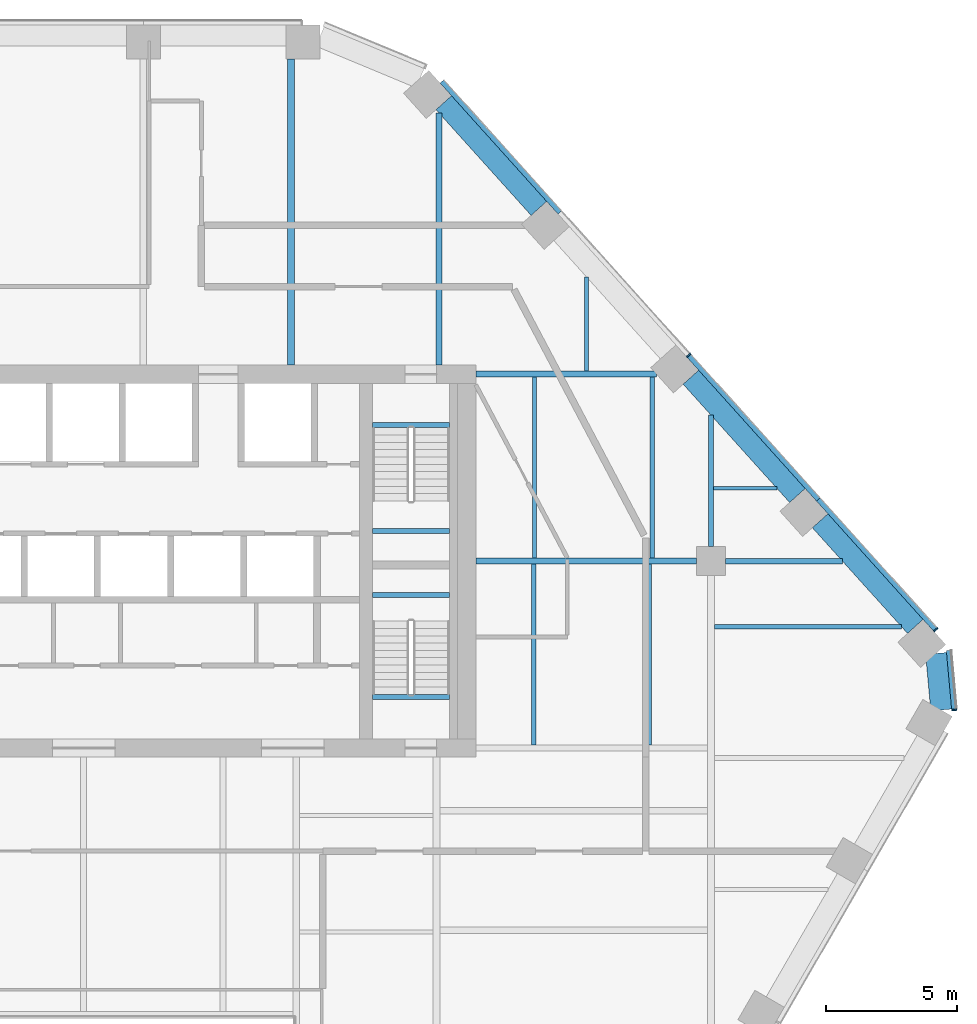
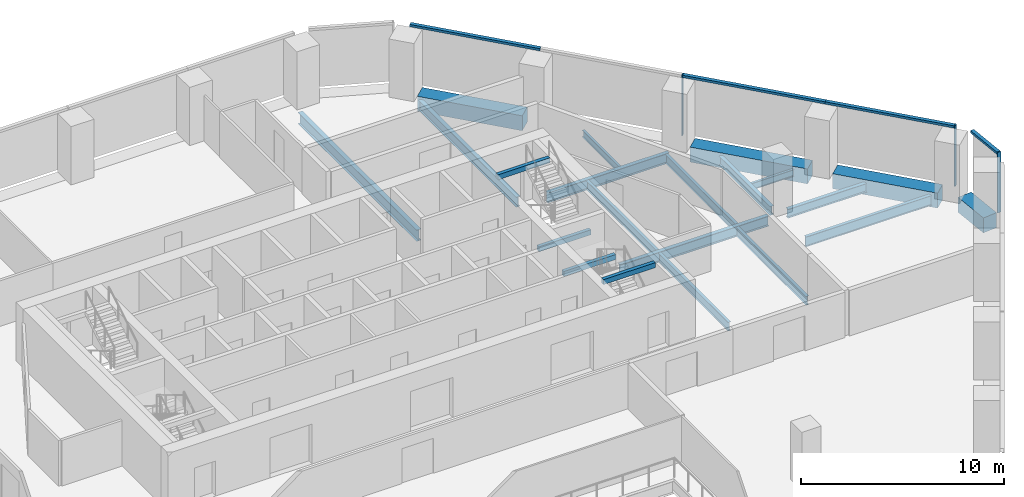
# One storey, part 8 of 16: 21 beams, 7 members, 2 elements without a shape of their own.
"""IFC4 building model written with IfcOpenShell, lengths in metres."""

from ifc_helpers import new_model, si_unit, direction, frame, origin, origin_2d, place, context, subcontext, project, spatial, rectangle, i_section, extrude, material, layer, layer_set, material_profile, profile_set, type_object, element, aggregate, save


model = new_model("IFC4")

# Units and contexts
model_context = context("Model", 3, precision=1e-05, world=origin(), true_north=direction((0.0, 1.0)))
body_context = subcontext(model_context, "Body", "Model", "MODEL_VIEW")
ifc_project = project(units=[si_unit("LENGTHUNIT", "METRE"), si_unit("AREAUNIT", "SQUARE_METRE"), si_unit("VOLUMEUNIT", "CUBIC_METRE"), si_unit("PLANEANGLEUNIT", "RADIAN"), si_unit("MASSUNIT", "GRAM", prefix="KILO")], contexts=[model_context])

# Site, building, storey
site_placement = place(None, origin())
site = spatial("IfcSite", under=ifc_project, at=site_placement, CompositionType="ELEMENT")
building_placement = place(site_placement, origin())
building = spatial("IfcBuilding", under=site, at=building_placement, Name="Isthmus Gate Tower", CompositionType="ELEMENT")
storey_placement = place(building_placement, frame((0.0, 0.0, 178.10009765625)))
storey = spatial("IfcBuildingStorey", under=building, at=storey_placement, Name="L44", CompositionType="ELEMENT", Elevation=178.10009765625)

# Curtain wall, member
ifc_material_1 = material(Name="Aluminium, pale champagne anodised", Category="aluminium")
ifc_layer = layer(ifc_material_1, 0.199951171875)
ifc_layer_set = layer_set([ifc_layer], Name="CW-1 UNITISED CURTAIN WALL 200 DEEP")
curtain_wall_type = type_object("IfcCurtainWallType", Name="CW-1 UNITISED CURTAIN WALL 200 DEEP", PredefinedType="NOTDEFINED", material=ifc_layer_set)
curtain_wall_1_placement = place(storey_placement, origin())
curtain_wall_1 = element("IfcCurtainWall", 1, at=curtain_wall_1_placement, inside=storey, type_object=curtain_wall_type, Name="CW-1 SE-NE L44", PredefinedType="NOTDEFINED")
ifc_material_2 = material(Name="Aluminium, pale champagne anodised", Category="aluminium")
ifc_material_profile_1 = material_profile(ifc_material_2, rectangle(XDim=0.06005859375, YDim=0.199951171875, at=origin_2d()), Name="60x200")
ifc_profile_set_1 = profile_set([ifc_material_profile_1], Name="Aluminium, pale champagne anodised")
member_type_1 = type_object("IfcMemberType", Name="CW-1 MULLION 60 X 200", PredefinedType="MULLION", material=ifc_profile_set_1)
member_1_placement = place(storey_placement, frame((33.307861328125, 1.804443359375, 0.0), z_axis=(0.0, 0.0, 1.0), x_axis=(-0.089396669717, 0.995996102123, 0.0)))
member_1 = element("IfcMember", 2, at=member_1_placement, type_object=member_type_1, Name="CW-1 mullion", PredefinedType="MULLION", context=body_context, shape_type="SweptSolid", body=[
    extrude(rectangle(XDim=0.06005859375, YDim=0.199951171875, at=origin_2d()), origin(), (0.0, 0.0, 1.0), 3.64990234375),
])

# Curtain wall, members
curtain_wall_2_placement = place(storey_placement, origin())
curtain_wall_2 = element("IfcCurtainWall", 3, at=curtain_wall_2_placement, inside=storey, type_object=curtain_wall_type, Name="CW-1 NE L44", PredefinedType="NOTDEFINED")
member_2_placement = place(storey_placement, frame((32.602783203125, 4.871337890625, 0.0), z_axis=(0.0, 0.0, 1.0), x_axis=(-0.669130606359, 0.743144825477, 0.0)))
member_2 = element("IfcMember", 4, at=member_2_placement, type_object=member_type_1, Name="CW-1 mullion", PredefinedType="MULLION", context=body_context, shape_type="SweptSolid", body=[
    extrude(rectangle(XDim=0.06005859375, YDim=0.199951171875, at=origin_2d()), origin(), (0.0, 0.0, 1.0), 3.64990234375),
])
member_3_placement = place(storey_placement, frame((23.14697265625, 15.373046875, 0.0), z_axis=(0.0, 0.0, 1.0), x_axis=(-0.669130606359, 0.743144825477, 0.0)))
member_3 = element("IfcMember", 5, at=member_3_placement, type_object=member_type_1, Name="CW-1 mullion", PredefinedType="MULLION", context=body_context, shape_type="SweptSolid", body=[
    extrude(rectangle(XDim=0.06005859375, YDim=0.199951171875, at=origin_2d()), origin(), (0.0, 0.0, 1.0), 3.64990234375),
])

# Member
ifc_material_3 = material(Name="Aluminium, pale champagne anodised", Category="aluminium")
ifc_material_profile_2 = material_profile(ifc_material_3, rectangle(XDim=0.199951171875, YDim=0.139892578125, at=origin_2d()), Name="200x140")
ifc_profile_set_2 = profile_set([ifc_material_profile_2], Name="Aluminium, pale champagne anodised")
member_type_2 = type_object("IfcMemberType", Name="CW-1 TRANSOM 200 X 140", PredefinedType="USERDEFINED", material=ifc_profile_set_2)
member_4_placement = place(storey_placement, frame((33.30517578125, 1.83447265625, 3.579833984375), z_axis=(-0.089395362867, 0.995996219419, 0.0), x_axis=(-0.995996219419, -0.089395362867, 0.0)))
member_4 = element("IfcMember", 6, at=member_4_placement, type_object=member_type_2, Name="CW-1 transom", ObjectType="TRANSOM", PredefinedType="USERDEFINED", context=body_context, shape_type="SweptSolid", body=[
    extrude(rectangle(XDim=0.199951171875, YDim=0.139892578125, at=origin_2d()), origin(), (0.0, 0.0, 1.0), 2.258544921875),
])

aggregate(curtain_wall_1, [member_1, member_4])

member_5_placement = place(storey_placement, frame((32.582763671875, 4.8935546875, 3.579833984375), z_axis=(-0.669138342957, 0.74313785934, 0.0), x_axis=(-0.74313785934, -0.669138342957, 0.0)))
member_5 = element("IfcMember", 7, at=member_5_placement, type_object=member_type_2, Name="CW-1 transom", ObjectType="TRANSOM", PredefinedType="USERDEFINED", context=body_context, shape_type="SweptSolid", body=[
    extrude(rectangle(XDim=0.199951171875, YDim=0.139892578125, at=origin_2d()), origin(), (0.0, 0.0, 1.0), 6.680908203125),
])

member_6_placement = place(storey_placement, frame((28.1123046875, 9.8583984375, 3.579833984375), z_axis=(-0.669123495435, 0.74315122812, 0.0), x_axis=(-0.74315122812, -0.669123495435, 0.0)))
member_6 = element("IfcMember", 8, at=member_6_placement, type_object=member_type_2, Name="CW-1 transom", ObjectType="TRANSOM", PredefinedType="USERDEFINED", context=body_context, shape_type="SweptSolid", body=[
    extrude(rectangle(XDim=0.199951171875, YDim=0.139892578125, at=origin_2d()), origin(), (0.0, 0.0, 1.0), 7.390625),
])

member_7_placement = place(storey_placement, frame((18.221435546875, 20.84326171875, 3.579833984375), z_axis=(-0.669102791064, 0.743169869538, 0.0), x_axis=(-0.743169869538, -0.669102791064, 0.0)))
member_7 = element("IfcMember", 9, at=member_7_placement, type_object=member_type_2, Name="CW-1 transom", ObjectType="TRANSOM", PredefinedType="USERDEFINED", context=body_context, shape_type="SweptSolid", body=[
    extrude(rectangle(XDim=0.199951171875, YDim=0.139892578125, at=origin_2d()), origin(), (0.0, 0.0, 1.0), 6.74072265625),
])

aggregate(curtain_wall_2, [member_2, member_5, member_6, member_3, member_7])

# Beams
ifc_material_4 = material(Name="Concrete f'c 60 MPa", Category="concrete")
ifc_material_profile_3 = material_profile(ifc_material_4, rectangle(XDim=0.800048828125, YDim=0.89990234375, at=origin_2d()), Name="RC 800X900")
ifc_profile_set_3 = profile_set([ifc_material_profile_3], Name="Concrete f'c 60 MPa")
beam_type_1 = type_object("IfcBeamType", Name="RC SPANDREL 800 X 900", PredefinedType="SPANDREL", material=ifc_profile_set_3)
beam_1_placement = place(storey_placement, frame((13.7744140625, 25.03515625, -0.4501953125), z_axis=(0.669118419563, -0.743155798337, 0.0), x_axis=(0.743155798337, 0.669118419563, 0.0)))
element("IfcBeam", 10, at=beam_1_placement, inside=storey, type_object=beam_type_1, Name="str-spandrel-L44-01", PredefinedType="SPANDREL", context=body_context, shape_type="SweptSolid", body=[
    extrude(rectangle(XDim=0.800048828125, YDim=0.89990234375, at=origin_2d()), origin(), (0.0, 0.0, 1.0), 5.44091796875),
])
beam_2_placement = place(storey_placement, frame((23.230224609375, 14.533203125, -0.4501953125), z_axis=(0.669141874065, -0.743134679835, 0.0), x_axis=(0.743134679835, 0.669141874065, 0.0)))
element("IfcBeam", 11, at=beam_2_placement, inside=storey, type_object=beam_type_1, Name="str-spandrel-L44-03", PredefinedType="SPANDREL", context=body_context, shape_type="SweptSolid", body=[
    extrude(rectangle(XDim=0.800048828125, YDim=0.89990234375, at=origin_2d()), origin(), (0.0, 0.0, 1.0), 6.0908203125),
])
beam_3_placement = place(storey_placement, frame((28.17578125, 9.040771484375, -0.4501953125), z_axis=(0.669140732593, -0.74313570765, 0.0), x_axis=(0.74313570765, 0.669140732593, 0.0)))
element("IfcBeam", 12, at=beam_3_placement, inside=storey, type_object=beam_type_1, Name="str-spandrel-L44-04", PredefinedType="SPANDREL", context=body_context, shape_type="SweptSolid", body=[
    extrude(rectangle(XDim=0.800048828125, YDim=0.89990234375, at=origin_2d()), origin(), (0.0, 0.0, 1.0), 5.440673828125),
])
beam_4_placement = place(storey_placement, frame((32.61181640625, 3.964599609375, -0.4501953125), z_axis=(0.089421511639, -0.995993872098, 0.0), x_axis=(0.995993872098, 0.089421511639, 0.0)))
element("IfcBeam", 13, at=beam_4_placement, inside=storey, type_object=beam_type_1, Name="str-spandrel-L44-05", PredefinedType="SPANDREL", context=body_context, shape_type="SweptSolid", body=[
    extrude(rectangle(XDim=0.800048828125, YDim=0.89990234375, at=origin_2d()), origin(), (0.0, 0.0, 1.0), 2.17333984375),
])
ifc_material_5 = material(Name="Concrete f'c 40 MPa", Category="concrete")
ifc_material_profile_4 = material_profile(ifc_material_5, rectangle(XDim=0.199951171875, YDim=0.300048828125, at=origin_2d()), Name="STAIR LANDING BEAM RC 200 X 300")
ifc_profile_set_4 = profile_set([ifc_material_profile_4], Name="Concrete f'c 40 MPa")
beam_type_2 = type_object("IfcBeamType", Name="STAIR LANDING BEAM RC 200 X 300", PredefinedType="BEAM", material=ifc_profile_set_4)
for number, where, z_axis, x_axis, name in (
    (14, (11.050048828125, 8.64990234375, 1.474853515625), (1.0, 0.0, 0.0), (0.0, 1.0, 0.0), "L44 ST2 landing beam 1"),
    (15, (11.050048828125, 12.7001953125, 3.349853515625), (1.0, 0.0, 0.0), (0.0, 1.0, 0.0), "L44 ST2 floor-edge seat beam"),
    (16, (11.050048828125, 6.199951171875, 1.474853515625), (1.0, 0.0, 0.0), (0.0, 1.0, 0.0), "L44 ST8 landing beam 1"),
    (17, (11.050048828125, 2.2998046875, 3.349853515625), (1.0, 0.0, 0.0), (0.0, 1.0, 0.0), "L44 ST8 floor-edge seat beam"),
):
    element("IfcBeam", number, at=place(storey_placement, frame(where, z_axis=z_axis, x_axis=x_axis)), inside=storey, type_object=beam_type_2, Name=name, PredefinedType="BEAM", context=body_context, shape_type="SweptSolid", body=[
        extrude(rectangle(XDim=0.199951171875, YDim=0.300048828125, at=origin_2d()), origin(), (0.0, 0.0, 1.0), 2.949951171875),
    ])
ifc_material_6 = material(Name="Structural steel ASTM A992 Gr 50", Category="steel")
ifc_material_profile_5 = material_profile(ifc_material_6, i_section(OverallWidth=0.1396484375, OverallDepth=0.4033203125, WebThickness=0.00634765625, FlangeThickness=0.010986328125, at=origin_2d()), Name="W16X31")
ifc_profile_set_5 = profile_set([ifc_material_profile_5], Name="Structural steel ASTM A992 Gr 50")
beam_type_3 = type_object("IfcBeamType", Name="STEEL FLOOR BEAM W16X31", PredefinedType="JOIST", material=ifc_profile_set_5)
beam_5_placement = place(storey_placement, frame((19.23681640625, 14.764404296875, -0.351806640625), z_axis=(0.0, 1.0, 0.0), x_axis=(-1.0, 0.0, 0.0)))
element("IfcBeam", 18, at=beam_5_placement, inside=storey, type_object=beam_type_3, Name="str-beam-L44-05-07", PredefinedType="JOIST", context=body_context, shape_type="SweptSolid", body=[
    extrude(i_section(OverallWidth=0.1396484375, OverallDepth=0.4033203125, WebThickness=0.00634765625, FlangeThickness=0.010986328125, at=origin_2d()), origin(), (0.0, 0.0, 1.0), 3.6064453125),
])
beam_6_placement = place(storey_placement, frame((24.104736328125, 10.284423828125, -0.351806640625), z_axis=(1.0, 0.0, 0.0), x_axis=(0.0, 1.0, 0.0)))
element("IfcBeam", 19, at=beam_6_placement, inside=storey, type_object=beam_type_3, Name="str-beam-L44-15-00", PredefinedType="JOIST", context=body_context, shape_type="SweptSolid", body=[
    extrude(i_section(OverallWidth=0.1396484375, OverallDepth=0.4033203125, WebThickness=0.00634765625, FlangeThickness=0.010986328125, at=origin_2d()), origin(), (0.0, 0.0, 1.0), 2.412841796875),
])
ifc_material_7 = material(Name="Structural steel ASTM A992 Gr 50", Category="steel")
ifc_material_profile_6 = material_profile(ifc_material_7, i_section(OverallWidth=0.1650390625, OverallDepth=0.52392578125, WebThickness=0.009521484375, FlangeThickness=0.010986328125, at=origin_2d()), Name="W21X44")
ifc_profile_set_6 = profile_set([ifc_material_profile_6], Name="Structural steel ASTM A992 Gr 50")
beam_type_4 = type_object("IfcBeamType", Name="STEEL FLOOR BEAM W21X44", PredefinedType="JOIST", material=ifc_profile_set_6)
for number, where, z_axis, x_axis, name in (
    (20, (17.25, 7.6142578125, -0.412109375), (0.0, 1.0, 0.0), (-1.0, 0.0, 0.0), "str-beam-L44-13-00"),
    (21, (21.75, 7.6142578125, -0.412109375), (0.0, 1.0, 0.0), (-1.0, 0.0, 0.0), "str-beam-L44-13-01"),
    (22, (17.216552734375, 0.46435546875, -0.412109375), (0.0, 1.0, 0.0), (-1.0, 0.0, 0.0), "str-beam-L44-14-00"),
    (23, (21.64990234375, 0.46435546875, -0.412109375), (0.0, 1.0, 0.0), (-1.0, 0.0, 0.0), "str-beam-L44-14-01"),
):
    element("IfcBeam", number, at=place(storey_placement, frame(where, z_axis=z_axis, x_axis=x_axis)), inside=storey, type_object=beam_type_4, Name=name, PredefinedType="JOIST", context=body_context, shape_type="SweptSolid", body=[
        extrude(i_section(OverallWidth=0.1650390625, OverallDepth=0.52392578125, WebThickness=0.009521484375, FlangeThickness=0.010986328125, at=origin_2d()), origin(), (0.0, 0.0, 1.0), 6.92138671875),
    ])
ifc_material_8 = material(Name="Structural steel ASTM A992 Gr 50", Category="steel")
ifc_material_profile_7 = material_profile(ifc_material_8, i_section(OverallWidth=0.177734375, OverallDepth=0.60009765625, WebThickness=0.009521484375, FlangeThickness=0.0126953125, at=origin_2d()), Name="W24X55")
ifc_profile_set_7 = profile_set([ifc_material_profile_7], Name="Structural steel ASTM A992 Gr 50")
beam_type_5 = type_object("IfcBeamType", Name="STEEL FLOOR BEAM W24X55", PredefinedType="JOIST", material=ifc_profile_set_7)
beam_7_placement = place(storey_placement, frame((24.13330078125, 4.987548828125, -0.4501953125), z_axis=(1.0, 0.0, 0.0), x_axis=(0.0, 1.0, 0.0)))
element("IfcBeam", 24, at=beam_7_placement, inside=storey, type_object=beam_type_5, Name="str-beam-L44-16-02", PredefinedType="JOIST", context=body_context, shape_type="SweptSolid", body=[
    extrude(i_section(OverallWidth=0.177734375, OverallDepth=0.60009765625, WebThickness=0.009521484375, FlangeThickness=0.0126953125, at=origin_2d()), origin(), (0.0, 0.0, 1.0), 7.15380859375),
])
ifc_material_9 = material(Name="Structural steel ASTM A992 Gr 50", Category="steel")
ifc_material_profile_8 = material_profile(ifc_material_9, i_section(OverallWidth=0.228515625, OverallDepth=0.603271484375, WebThickness=0.010986328125, FlangeThickness=0.014404296875, at=origin_2d()), Name="W24X68")
ifc_profile_set_8 = profile_set([ifc_material_profile_8], Name="Structural steel ASTM A992 Gr 50")
beam_type_6 = type_object("IfcBeamType", Name="STEEL FLOOR BEAM W24X68", PredefinedType="JOIST", material=ifc_profile_set_8)
beam_8_placement = place(storey_placement, frame((13.583984375, 15.0, -0.45166015625), z_axis=(0.0, 1.0, 0.0), x_axis=(-1.0, 0.0, 0.0)))
element("IfcBeam", 25, at=beam_8_placement, inside=storey, type_object=beam_type_6, Name="str-beam-L44-05-06", PredefinedType="JOIST", context=body_context, shape_type="SweptSolid", body=[
    extrude(i_section(OverallWidth=0.228515625, OverallDepth=0.603271484375, WebThickness=0.010986328125, FlangeThickness=0.014404296875, at=origin_2d()), origin(), (0.0, 0.0, 1.0), 9.648681640625),
])
ifc_material_10 = material(Name="Structural steel ASTM A992 Gr 50", Category="steel")
ifc_material_profile_9 = material_profile(ifc_material_10, i_section(OverallWidth=0.25390625, OverallDepth=0.679443359375, WebThickness=0.010986328125, FlangeThickness=0.015869140625, at=origin_2d()), Name="W27X84")
ifc_profile_set_9 = profile_set([ifc_material_profile_9], Name="Structural steel ASTM A992 Gr 50")
beam_type_7 = type_object("IfcBeamType", Name="STEEL FLOOR BEAM W27X84", PredefinedType="JOIST", material=ifc_profile_set_9)
beam_9_placement = place(storey_placement, frame((7.93115234375, 15.0, -0.48974609375), z_axis=(0.0, 1.0, 0.0), x_axis=(-1.0, 0.0, 0.0)))
element("IfcBeam", 26, at=beam_9_placement, inside=storey, type_object=beam_type_7, Name="str-beam-L44-05-05", PredefinedType="JOIST", context=body_context, shape_type="SweptSolid", body=[
    extrude(i_section(OverallWidth=0.25390625, OverallDepth=0.679443359375, WebThickness=0.010986328125, FlangeThickness=0.015869140625, at=origin_2d()), origin(), (0.0, 0.0, 1.0), 11.699951171875),
])
ifc_material_11 = material(Name="Structural steel ASTM A992 Gr 50", Category="steel")
ifc_material_profile_10 = material_profile(ifc_material_11, i_section(OverallWidth=0.20947265625, OverallDepth=0.533447265625, WebThickness=0.009521484375, FlangeThickness=0.015869140625, at=origin_2d()), Name="W21X62")
ifc_profile_set_10 = profile_set([ifc_material_profile_10], Name="Structural steel ASTM A992 Gr 50")
beam_type_8 = type_object("IfcBeamType", Name="STEEL GIRDER W21X62", PredefinedType="BEAM", material=ifc_profile_set_10)
beam_10_placement = place(storey_placement, frame((24.550048828125, 7.5, -0.416748046875), z_axis=(1.0, 0.0, 0.0), x_axis=(0.0, 1.0, 0.0)))
element("IfcBeam", 27, at=beam_10_placement, inside=storey, type_object=beam_type_8, Name="str-girder-L44-06", PredefinedType="BEAM", context=body_context, shape_type="SweptSolid", body=[
    extrude(i_section(OverallWidth=0.20947265625, OverallDepth=0.533447265625, WebThickness=0.009521484375, FlangeThickness=0.015869140625, at=origin_2d()), origin(), (0.0, 0.0, 1.0), 4.474853515625),
])
beam_11_placement = place(storey_placement, frame((24.0, 8.050048828125, -0.416748046875), z_axis=(0.0, 1.0, 0.0), x_axis=(-1.0, 0.0, 0.0)))
element("IfcBeam", 28, at=beam_11_placement, inside=storey, type_object=beam_type_8, Name="str-girder-L44-12", PredefinedType="BEAM", context=body_context, shape_type="SweptSolid", body=[
    extrude(i_section(OverallWidth=0.20947265625, OverallDepth=0.533447265625, WebThickness=0.009521484375, FlangeThickness=0.015869140625, at=origin_2d()), origin(), (0.0, 0.0, 1.0), 5.030517578125),
])
ifc_material_12 = material(Name="Structural steel ASTM A992 Gr 50", Category="steel")
ifc_material_profile_11 = material_profile(ifc_material_12, i_section(OverallWidth=0.228515625, OverallDepth=0.603271484375, WebThickness=0.010986328125, FlangeThickness=0.014404296875, at=origin_2d()), Name="W24X68")
ifc_profile_set_11 = profile_set([ifc_material_profile_11], Name="Structural steel ASTM A992 Gr 50")
beam_type_9 = type_object("IfcBeamType", Name="STEEL GIRDER W24X68", PredefinedType="BEAM", material=ifc_profile_set_11)
beam_12_placement = place(storey_placement, frame((15.0, 14.64990234375, -0.45166015625), z_axis=(1.0, 0.0, 0.0), x_axis=(0.0, 1.0, 0.0)))
element("IfcBeam", 29, at=beam_12_placement, inside=storey, type_object=beam_type_9, Name="str-girder-L44-16", PredefinedType="BEAM", context=body_context, shape_type="SweptSolid", body=[
    extrude(i_section(OverallWidth=0.228515625, OverallDepth=0.603271484375, WebThickness=0.010986328125, FlangeThickness=0.014404296875, at=origin_2d()), origin(), (0.0, 0.0, 1.0), 6.9140625),
])
ifc_material_13 = material(Name="Structural steel ASTM A992 Gr 50", Category="steel")
ifc_material_profile_12 = material_profile(ifc_material_13, i_section(OverallWidth=0.228515625, OverallDepth=0.6064453125, WebThickness=0.010986328125, FlangeThickness=0.017578125, at=origin_2d()), Name="W24X76")
ifc_profile_set_12 = profile_set([ifc_material_profile_12], Name="Structural steel ASTM A992 Gr 50")
beam_type_10 = type_object("IfcBeamType", Name="STEEL GIRDER W24X76", PredefinedType="BEAM", material=ifc_profile_set_12)
beam_13_placement = place(storey_placement, frame((15.0, 7.5, -0.453369140625), z_axis=(1.0, 0.0, 0.0), x_axis=(0.0, 1.0, 0.0)))
element("IfcBeam", 30, at=beam_13_placement, inside=storey, type_object=beam_type_10, Name="str-girder-L44-05", PredefinedType="BEAM", context=body_context, shape_type="SweptSolid", body=[
    extrude(i_section(OverallWidth=0.228515625, OverallDepth=0.6064453125, WebThickness=0.010986328125, FlangeThickness=0.017578125, at=origin_2d()), origin(), (0.0, 0.0, 1.0), 8.449951171875),
])

save(model, "model.ifc")
